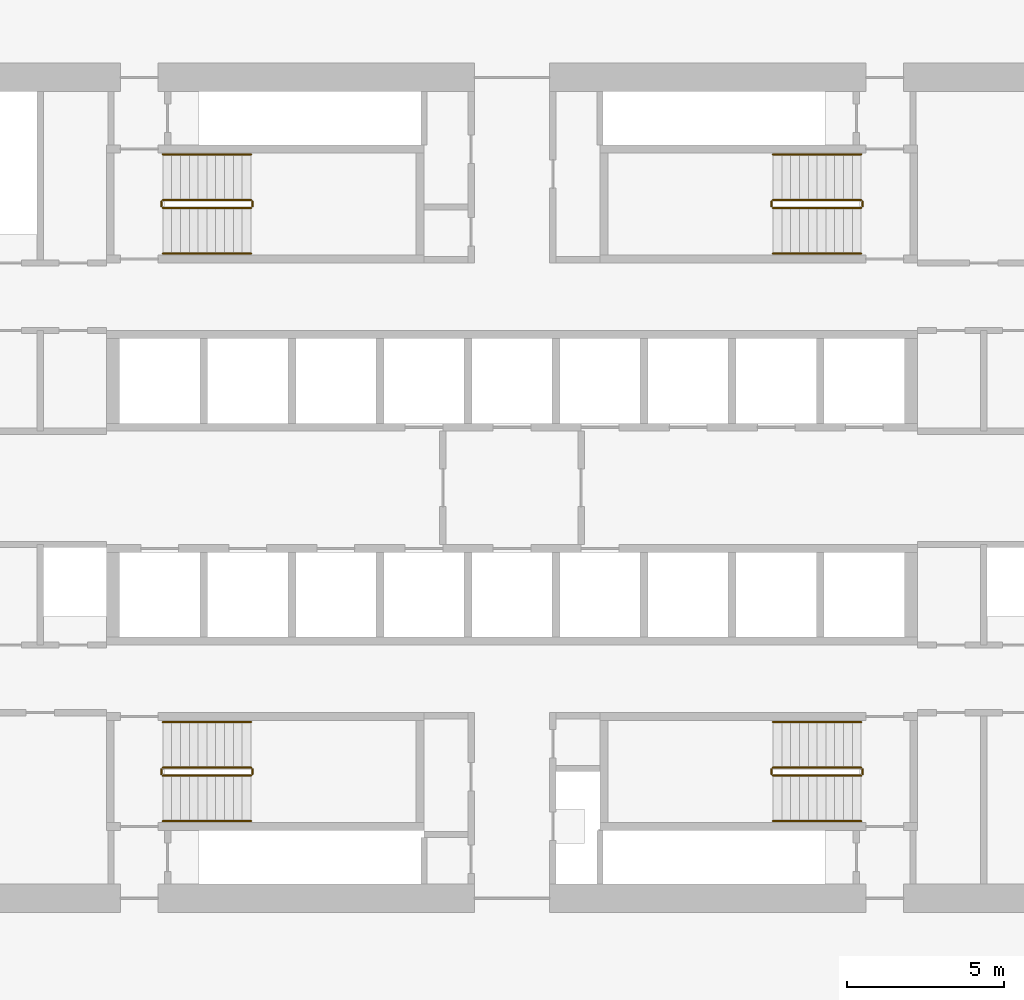
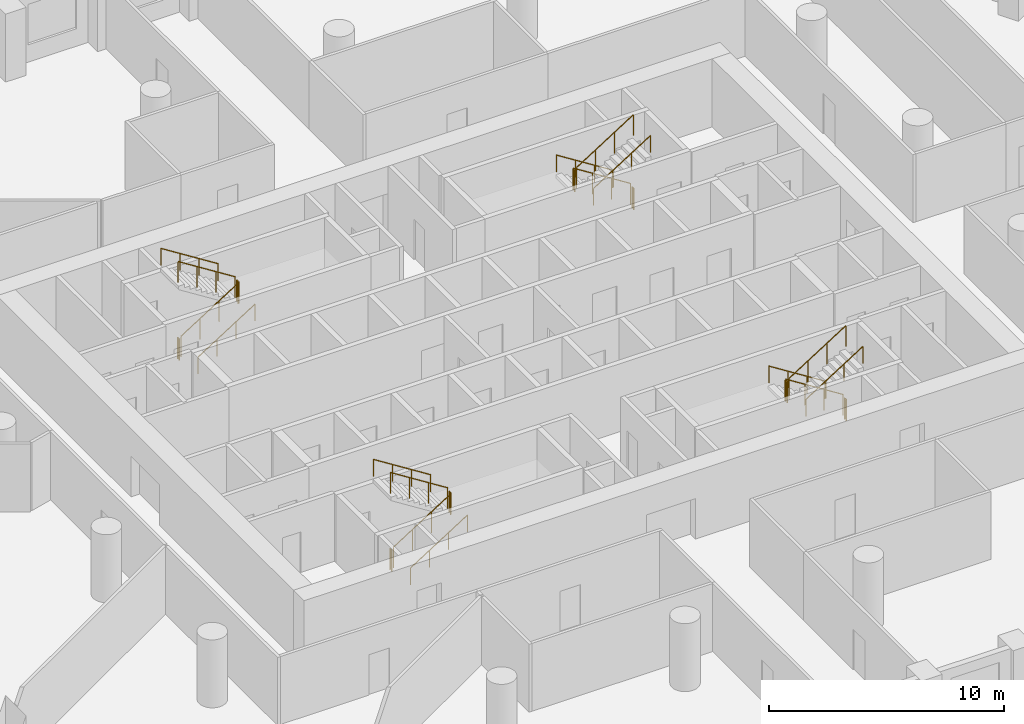
# One storey, part 10 of 10: 24 railings.
"""IFC4 building model written with IfcOpenShell, lengths in metres."""

from ifc_helpers import new_model, si_unit, direction, frame, origin, origin_2d, place, context, subcontext, project, spatial, circle, extrude, material, type_object, element, save


model = new_model("IFC4")

# Units and contexts
model_context = context("Model", 3, precision=1e-05, world=origin(), true_north=direction((0.0, 1.0)))
body_context = subcontext(model_context, "Body", "Model", "MODEL_VIEW")
ifc_project = project(units=[si_unit("LENGTHUNIT", "METRE"), si_unit("AREAUNIT", "SQUARE_METRE"), si_unit("VOLUMEUNIT", "CUBIC_METRE"), si_unit("PLANEANGLEUNIT", "RADIAN"), si_unit("MASSUNIT", "GRAM", prefix="KILO")], contexts=[model_context])

# Site, building, storey
site_placement = place(None, origin())
site = spatial("IfcSite", under=ifc_project, at=site_placement, CompositionType="ELEMENT")
building_placement = place(site_placement, origin())
building = spatial("IfcBuilding", under=site, at=building_placement, Name="Dhurran Vertical Campus", CompositionType="ELEMENT")
storey_placement = place(building_placement, frame((0.0, 0.0, 85.199951171875)))
storey = spatial("IfcBuildingStorey", under=building, at=storey_placement, Name="L20", CompositionType="ELEMENT", Elevation=85.199951171875)

# Railings
ifc_material_1 = material(Name="Stainless steel balustrade", Category="steel")
railing_type_1 = type_object("IfcRailingType", Name="co-RL-GUARD-1100", PredefinedType="GUARDRAIL", material=ifc_material_1)
railing_1_placement = place(storey_placement, frame((-11.10009765625, 8.89990234375, 0.17724609375)))
element("IfcRailing", 1, at=railing_1_placement, inside=storey, type_object=railing_type_1, Name="L20 ST1 stair guard 1", PredefinedType="GUARDRAIL", context=body_context, shape_type="SweptSolid", body=[
    extrude(circle(Radius=0.02392578125, at=origin_2d()), frame((0.0, 0.0, 1.076171875), z_axis=(0.844908973607, 0.0, 0.534910110503), x_axis=(0.0, 1.0, 0.0)), (0.0, 0.0, 1.0), 3.31396484375),
    extrude(circle(Radius=0.02099609375, at=origin_2d()), origin(), (0.0, 0.0, 1.0), 1.052001953125),
    extrude(circle(Radius=0.02099609375, at=origin_2d()), frame((0.933349609375, 0.0, 0.5908203125)), (0.0, 0.0, 1.0), 1.052001953125),
    extrude(circle(Radius=0.02099609375, at=origin_2d()), frame((1.86669921875, 0.0, 1.181884765625)), (0.0, 0.0, 1.0), 1.052001953125),
    extrude(circle(Radius=0.02099609375, at=origin_2d()), frame((2.800048828125, 0.0, 1.772705078125)), (0.0, 0.0, 1.0), 1.052001953125),
])
railing_2_placement = place(storey_placement, frame((-8.25, 8.949951171875, 1.949951171875)))
element("IfcRailing", 2, at=railing_2_placement, inside=storey, type_object=railing_type_1, Name="L20 ST1 stair guard 2", PredefinedType="GUARDRAIL", context=body_context, shape_type="SweptSolid", body=[
    extrude(circle(Radius=0.02392578125, at=origin_2d()), frame((0.0, 0.0, 1.076171875), z_axis=(0.0, 1.0, 0.0), x_axis=(-1.0, 0.0, 0.0)), (0.0, 0.0, 1.0), 0.150146484375),
    extrude(circle(Radius=0.02099609375, at=origin_2d()), origin(), (0.0, 0.0, 1.0), 1.052001953125),
    extrude(circle(Radius=0.02099609375, at=origin_2d()), frame((0.0, 0.150146484375, 0.0)), (0.0, 0.0, 1.0), 1.052001953125),
])
railing_3_placement = place(storey_placement, frame((-8.300048828125, 9.14990234375, 2.12744140625)))
element("IfcRailing", 3, at=railing_3_placement, inside=storey, type_object=railing_type_1, Name="L20 ST1 stair guard 3", PredefinedType="GUARDRAIL", context=body_context, shape_type="SweptSolid", body=[
    extrude(circle(Radius=0.02392578125, at=origin_2d()), frame((0.0, 0.0, 1.076171875), z_axis=(-0.844908973607, 0.0, 0.534910110503), x_axis=(0.0, -1.0, 0.0)), (0.0, 0.0, 1.0), 3.31396484375),
    extrude(circle(Radius=0.02099609375, at=origin_2d()), origin(), (0.0, 0.0, 1.0), 1.052001953125),
    extrude(circle(Radius=0.02099609375, at=origin_2d()), frame((-0.933349609375, 0.0, 0.5908203125)), (0.0, 0.0, 1.0), 1.052001953125),
    extrude(circle(Radius=0.02099609375, at=origin_2d()), frame((-1.86669921875, 0.0, 1.181884765625)), (0.0, 0.0, 1.0), 1.052001953125),
    extrude(circle(Radius=0.02099609375, at=origin_2d()), frame((-2.800048828125, 0.0, 1.772705078125)), (0.0, 0.0, 1.0), 1.052001953125),
])
railing_4_placement = place(storey_placement, frame((-11.14990234375, 8.949951171875, 0.0)))
element("IfcRailing", 4, at=railing_4_placement, inside=storey, type_object=railing_type_1, Name="L20 ST1 stair guard 4", PredefinedType="GUARDRAIL", context=body_context, shape_type="SweptSolid", body=[
    extrude(circle(Radius=0.02392578125, at=origin_2d()), frame((0.0, 0.0, 1.076171875), z_axis=(0.0, 1.0, 0.0), x_axis=(-1.0, 0.0, 0.0)), (0.0, 0.0, 1.0), 0.150146484375),
    extrude(circle(Radius=0.02099609375, at=origin_2d()), origin(), (0.0, 0.0, 1.0), 1.052001953125),
    extrude(circle(Radius=0.02099609375, at=origin_2d()), frame((0.0, 0.150146484375, 0.0)), (0.0, 0.0, 1.0), 1.052001953125),
])
railing_5_placement = place(storey_placement, frame((11.10009765625, 9.14990234375, 0.17724609375)))
element("IfcRailing", 5, at=railing_5_placement, inside=storey, type_object=railing_type_1, Name="L20 ST2 stair guard 1", PredefinedType="GUARDRAIL", context=body_context, shape_type="SweptSolid", body=[
    extrude(circle(Radius=0.02392578125, at=origin_2d()), frame((0.0, 0.0, 1.076171875), z_axis=(-0.844908973607, 0.0, 0.534910110503), x_axis=(0.0, -1.0, 0.0)), (0.0, 0.0, 1.0), 3.31396484375),
    extrude(circle(Radius=0.02099609375, at=origin_2d()), origin(), (0.0, 0.0, 1.0), 1.052001953125),
    extrude(circle(Radius=0.02099609375, at=origin_2d()), frame((-0.933349609375, 0.0, 0.5908203125)), (0.0, 0.0, 1.0), 1.052001953125),
    extrude(circle(Radius=0.02099609375, at=origin_2d()), frame((-1.86669921875, 0.0, 1.181884765625)), (0.0, 0.0, 1.0), 1.052001953125),
    extrude(circle(Radius=0.02099609375, at=origin_2d()), frame((-2.800048828125, 0.0, 1.772705078125)), (0.0, 0.0, 1.0), 1.052001953125),
])
railing_6_placement = place(storey_placement, frame((8.25, 9.10009765625, 1.949951171875)))
element("IfcRailing", 6, at=railing_6_placement, inside=storey, type_object=railing_type_1, Name="L20 ST2 stair guard 2", PredefinedType="GUARDRAIL", context=body_context, shape_type="SweptSolid", body=[
    extrude(circle(Radius=0.02392578125, at=origin_2d()), frame((0.0, 0.0, 1.076171875), z_axis=(0.0, -1.0, 0.0), x_axis=(1.0, 0.0, 0.0)), (0.0, 0.0, 1.0), 0.150146484375),
    extrude(circle(Radius=0.02099609375, at=origin_2d()), origin(), (0.0, 0.0, 1.0), 1.052001953125),
    extrude(circle(Radius=0.02099609375, at=origin_2d()), frame((0.0, -0.150146484375, 0.0)), (0.0, 0.0, 1.0), 1.052001953125),
])
railing_7_placement = place(storey_placement, frame((8.300048828125, 8.89990234375, 2.12744140625)))
element("IfcRailing", 7, at=railing_7_placement, inside=storey, type_object=railing_type_1, Name="L20 ST2 stair guard 3", PredefinedType="GUARDRAIL", context=body_context, shape_type="SweptSolid", body=[
    extrude(circle(Radius=0.02392578125, at=origin_2d()), frame((0.0, 0.0, 1.076171875), z_axis=(0.844908973607, 0.0, 0.534910110503), x_axis=(0.0, 1.0, 0.0)), (0.0, 0.0, 1.0), 3.31396484375),
    extrude(circle(Radius=0.02099609375, at=origin_2d()), origin(), (0.0, 0.0, 1.0), 1.052001953125),
    extrude(circle(Radius=0.02099609375, at=origin_2d()), frame((0.933349609375, 0.0, 0.5908203125)), (0.0, 0.0, 1.0), 1.052001953125),
    extrude(circle(Radius=0.02099609375, at=origin_2d()), frame((1.86669921875, 0.0, 1.181884765625)), (0.0, 0.0, 1.0), 1.052001953125),
    extrude(circle(Radius=0.02099609375, at=origin_2d()), frame((2.800048828125, 0.0, 1.772705078125)), (0.0, 0.0, 1.0), 1.052001953125),
])
railing_8_placement = place(storey_placement, frame((11.14990234375, 9.10009765625, 0.0)))
element("IfcRailing", 8, at=railing_8_placement, inside=storey, type_object=railing_type_1, Name="L20 ST2 stair guard 4", PredefinedType="GUARDRAIL", context=body_context, shape_type="SweptSolid", body=[
    extrude(circle(Radius=0.02392578125, at=origin_2d()), frame((0.0, 0.0, 1.076171875), z_axis=(0.0, -1.0, 0.0), x_axis=(1.0, 0.0, 0.0)), (0.0, 0.0, 1.0), 0.150146484375),
    extrude(circle(Radius=0.02099609375, at=origin_2d()), origin(), (0.0, 0.0, 1.0), 1.052001953125),
    extrude(circle(Radius=0.02099609375, at=origin_2d()), frame((0.0, -0.150146484375, 0.0)), (0.0, 0.0, 1.0), 1.052001953125),
])
railing_9_placement = place(storey_placement, frame((-11.10009765625, -9.14990234375, 0.17724609375)))
element("IfcRailing", 9, at=railing_9_placement, inside=storey, type_object=railing_type_1, Name="L20 ST3 stair guard 1", PredefinedType="GUARDRAIL", context=body_context, shape_type="SweptSolid", body=[
    extrude(circle(Radius=0.02392578125, at=origin_2d()), frame((0.0, 0.0, 1.076171875), z_axis=(0.844908973607, 0.0, 0.534910110503), x_axis=(0.0, 1.0, 0.0)), (0.0, 0.0, 1.0), 3.31396484375),
    extrude(circle(Radius=0.02099609375, at=origin_2d()), origin(), (0.0, 0.0, 1.0), 1.052001953125),
    extrude(circle(Radius=0.02099609375, at=origin_2d()), frame((0.933349609375, 0.0, 0.5908203125)), (0.0, 0.0, 1.0), 1.052001953125),
    extrude(circle(Radius=0.02099609375, at=origin_2d()), frame((1.86669921875, 0.0, 1.181884765625)), (0.0, 0.0, 1.0), 1.052001953125),
    extrude(circle(Radius=0.02099609375, at=origin_2d()), frame((2.800048828125, 0.0, 1.772705078125)), (0.0, 0.0, 1.0), 1.052001953125),
])
railing_10_placement = place(storey_placement, frame((-8.25, -9.10009765625, 1.949951171875)))
element("IfcRailing", 10, at=railing_10_placement, inside=storey, type_object=railing_type_1, Name="L20 ST3 stair guard 2", PredefinedType="GUARDRAIL", context=body_context, shape_type="SweptSolid", body=[
    extrude(circle(Radius=0.02392578125, at=origin_2d()), frame((0.0, 0.0, 1.076171875), z_axis=(0.0, 1.0, 0.0), x_axis=(-1.0, 0.0, 0.0)), (0.0, 0.0, 1.0), 0.150146484375),
    extrude(circle(Radius=0.02099609375, at=origin_2d()), origin(), (0.0, 0.0, 1.0), 1.052001953125),
    extrude(circle(Radius=0.02099609375, at=origin_2d()), frame((0.0, 0.150146484375, 0.0)), (0.0, 0.0, 1.0), 1.052001953125),
])
railing_11_placement = place(storey_placement, frame((-8.300048828125, -8.89990234375, 2.12744140625)))
element("IfcRailing", 11, at=railing_11_placement, inside=storey, type_object=railing_type_1, Name="L20 ST3 stair guard 3", PredefinedType="GUARDRAIL", context=body_context, shape_type="SweptSolid", body=[
    extrude(circle(Radius=0.02392578125, at=origin_2d()), frame((0.0, 0.0, 1.076171875), z_axis=(-0.844908973607, 0.0, 0.534910110503), x_axis=(0.0, -1.0, 0.0)), (0.0, 0.0, 1.0), 3.31396484375),
    extrude(circle(Radius=0.02099609375, at=origin_2d()), origin(), (0.0, 0.0, 1.0), 1.052001953125),
    extrude(circle(Radius=0.02099609375, at=origin_2d()), frame((-0.933349609375, 0.0, 0.5908203125)), (0.0, 0.0, 1.0), 1.052001953125),
    extrude(circle(Radius=0.02099609375, at=origin_2d()), frame((-1.86669921875, 0.0, 1.181884765625)), (0.0, 0.0, 1.0), 1.052001953125),
    extrude(circle(Radius=0.02099609375, at=origin_2d()), frame((-2.800048828125, 0.0, 1.772705078125)), (0.0, 0.0, 1.0), 1.052001953125),
])
railing_12_placement = place(storey_placement, frame((-11.14990234375, -9.10009765625, 0.0)))
element("IfcRailing", 12, at=railing_12_placement, inside=storey, type_object=railing_type_1, Name="L20 ST3 stair guard 4", PredefinedType="GUARDRAIL", context=body_context, shape_type="SweptSolid", body=[
    extrude(circle(Radius=0.02392578125, at=origin_2d()), frame((0.0, 0.0, 1.076171875), z_axis=(0.0, 1.0, 0.0), x_axis=(-1.0, 0.0, 0.0)), (0.0, 0.0, 1.0), 0.150146484375),
    extrude(circle(Radius=0.02099609375, at=origin_2d()), origin(), (0.0, 0.0, 1.0), 1.052001953125),
    extrude(circle(Radius=0.02099609375, at=origin_2d()), frame((0.0, 0.150146484375, 0.0)), (0.0, 0.0, 1.0), 1.052001953125),
])
railing_13_placement = place(storey_placement, frame((11.10009765625, -8.89990234375, 0.17724609375)))
element("IfcRailing", 13, at=railing_13_placement, inside=storey, type_object=railing_type_1, Name="L20 ST4 stair guard 1", PredefinedType="GUARDRAIL", context=body_context, shape_type="SweptSolid", body=[
    extrude(circle(Radius=0.02392578125, at=origin_2d()), frame((0.0, 0.0, 1.076171875), z_axis=(-0.844908973607, 0.0, 0.534910110503), x_axis=(0.0, -1.0, 0.0)), (0.0, 0.0, 1.0), 3.31396484375),
    extrude(circle(Radius=0.02099609375, at=origin_2d()), origin(), (0.0, 0.0, 1.0), 1.052001953125),
    extrude(circle(Radius=0.02099609375, at=origin_2d()), frame((-0.933349609375, 0.0, 0.5908203125)), (0.0, 0.0, 1.0), 1.052001953125),
    extrude(circle(Radius=0.02099609375, at=origin_2d()), frame((-1.86669921875, 0.0, 1.181884765625)), (0.0, 0.0, 1.0), 1.052001953125),
    extrude(circle(Radius=0.02099609375, at=origin_2d()), frame((-2.800048828125, 0.0, 1.772705078125)), (0.0, 0.0, 1.0), 1.052001953125),
])
railing_14_placement = place(storey_placement, frame((8.25, -8.949951171875, 1.949951171875)))
element("IfcRailing", 14, at=railing_14_placement, inside=storey, type_object=railing_type_1, Name="L20 ST4 stair guard 2", PredefinedType="GUARDRAIL", context=body_context, shape_type="SweptSolid", body=[
    extrude(circle(Radius=0.02392578125, at=origin_2d()), frame((0.0, 0.0, 1.076171875), z_axis=(0.0, -1.0, 0.0), x_axis=(1.0, 0.0, 0.0)), (0.0, 0.0, 1.0), 0.150146484375),
    extrude(circle(Radius=0.02099609375, at=origin_2d()), origin(), (0.0, 0.0, 1.0), 1.052001953125),
    extrude(circle(Radius=0.02099609375, at=origin_2d()), frame((0.0, -0.150146484375, 0.0)), (0.0, 0.0, 1.0), 1.052001953125),
])
railing_15_placement = place(storey_placement, frame((8.300048828125, -9.14990234375, 2.12744140625)))
element("IfcRailing", 15, at=railing_15_placement, inside=storey, type_object=railing_type_1, Name="L20 ST4 stair guard 3", PredefinedType="GUARDRAIL", context=body_context, shape_type="SweptSolid", body=[
    extrude(circle(Radius=0.02392578125, at=origin_2d()), frame((0.0, 0.0, 1.076171875), z_axis=(0.844908973607, 0.0, 0.534910110503), x_axis=(0.0, 1.0, 0.0)), (0.0, 0.0, 1.0), 3.31396484375),
    extrude(circle(Radius=0.02099609375, at=origin_2d()), origin(), (0.0, 0.0, 1.0), 1.052001953125),
    extrude(circle(Radius=0.02099609375, at=origin_2d()), frame((0.933349609375, 0.0, 0.5908203125)), (0.0, 0.0, 1.0), 1.052001953125),
    extrude(circle(Radius=0.02099609375, at=origin_2d()), frame((1.86669921875, 0.0, 1.181884765625)), (0.0, 0.0, 1.0), 1.052001953125),
    extrude(circle(Radius=0.02099609375, at=origin_2d()), frame((2.800048828125, 0.0, 1.772705078125)), (0.0, 0.0, 1.0), 1.052001953125),
])
railing_16_placement = place(storey_placement, frame((11.14990234375, -8.949951171875, 0.0)))
element("IfcRailing", 16, at=railing_16_placement, inside=storey, type_object=railing_type_1, Name="L20 ST4 stair guard 4", PredefinedType="GUARDRAIL", context=body_context, shape_type="SweptSolid", body=[
    extrude(circle(Radius=0.02392578125, at=origin_2d()), frame((0.0, 0.0, 1.076171875), z_axis=(0.0, -1.0, 0.0), x_axis=(1.0, 0.0, 0.0)), (0.0, 0.0, 1.0), 0.150146484375),
    extrude(circle(Radius=0.02099609375, at=origin_2d()), origin(), (0.0, 0.0, 1.0), 1.052001953125),
    extrude(circle(Radius=0.02099609375, at=origin_2d()), frame((0.0, -0.150146484375, 0.0)), (0.0, 0.0, 1.0), 1.052001953125),
])
ifc_material_2 = material(Name="Stainless steel handrail", Category="steel")
railing_type_2 = type_object("IfcRailingType", Name="co-RL-HANDRAIL-900", PredefinedType="HANDRAIL", material=ifc_material_2)
railing_17_placement = place(storey_placement, frame((-11.10009765625, 7.449951171875, 0.17724609375)))
element("IfcRailing", 17, at=railing_17_placement, inside=storey, type_object=railing_type_2, Name="L20 ST1 stair handrail 1", PredefinedType="HANDRAIL", context=body_context, shape_type="SweptSolid", body=[
    extrude(circle(Radius=0.02392578125, at=origin_2d()), frame((0.0, 0.0, 0.8759765625), z_axis=(0.844908973607, 0.0, 0.534910110503), x_axis=(0.0, 1.0, 0.0)), (0.0, 0.0, 1.0), 3.31396484375),
    extrude(circle(Radius=0.02099609375, at=origin_2d()), origin(), (0.0, 0.0, 1.0), 0.851806640625),
    extrude(circle(Radius=0.02099609375, at=origin_2d()), frame((0.933349609375, 0.0, 0.5908203125)), (0.0, 0.0, 1.0), 0.851806640625),
    extrude(circle(Radius=0.02099609375, at=origin_2d()), frame((1.86669921875, 0.0, 1.181884765625)), (0.0, 0.0, 1.0), 0.851806640625),
    extrude(circle(Radius=0.02099609375, at=origin_2d()), frame((2.800048828125, 0.0, 1.772705078125)), (0.0, 0.0, 1.0), 0.851806640625),
])
for number, where, name in (
    (18, (-8.300048828125, 10.60009765625, 2.12744140625), "L20 ST1 stair handrail 2"),
    (19, (11.10009765625, 10.60009765625, 0.17724609375), "L20 ST2 stair handrail 1"),
):
    element("IfcRailing", number, at=place(storey_placement, frame(where)), inside=storey, type_object=railing_type_2, Name=name, PredefinedType="HANDRAIL", context=body_context, shape_type="SweptSolid", body=[
        extrude(circle(Radius=0.02392578125, at=origin_2d()), frame((0.0, 0.0, 0.8759765625), z_axis=(-0.844908973607, 0.0, 0.534910110503), x_axis=(0.0, -1.0, 0.0)), (0.0, 0.0, 1.0), 3.31396484375),
        extrude(circle(Radius=0.02099609375, at=origin_2d()), origin(), (0.0, 0.0, 1.0), 0.851806640625),
        extrude(circle(Radius=0.02099609375, at=origin_2d()), frame((-0.933349609375, 0.0, 0.5908203125)), (0.0, 0.0, 1.0), 0.851806640625),
        extrude(circle(Radius=0.02099609375, at=origin_2d()), frame((-1.86669921875, 0.0, 1.181884765625)), (0.0, 0.0, 1.0), 0.851806640625),
        extrude(circle(Radius=0.02099609375, at=origin_2d()), frame((-2.800048828125, 0.0, 1.772705078125)), (0.0, 0.0, 1.0), 0.851806640625),
    ])
for number, where, name in (
    (20, (8.300048828125, 7.449951171875, 2.12744140625), "L20 ST2 stair handrail 2"),
    (21, (-11.10009765625, -10.60009765625, 0.17724609375), "L20 ST3 stair handrail 1"),
):
    element("IfcRailing", number, at=place(storey_placement, frame(where)), inside=storey, type_object=railing_type_2, Name=name, PredefinedType="HANDRAIL", context=body_context, shape_type="SweptSolid", body=[
        extrude(circle(Radius=0.02392578125, at=origin_2d()), frame((0.0, 0.0, 0.8759765625), z_axis=(0.844908973607, 0.0, 0.534910110503), x_axis=(0.0, 1.0, 0.0)), (0.0, 0.0, 1.0), 3.31396484375),
        extrude(circle(Radius=0.02099609375, at=origin_2d()), origin(), (0.0, 0.0, 1.0), 0.851806640625),
        extrude(circle(Radius=0.02099609375, at=origin_2d()), frame((0.933349609375, 0.0, 0.5908203125)), (0.0, 0.0, 1.0), 0.851806640625),
        extrude(circle(Radius=0.02099609375, at=origin_2d()), frame((1.86669921875, 0.0, 1.181884765625)), (0.0, 0.0, 1.0), 0.851806640625),
        extrude(circle(Radius=0.02099609375, at=origin_2d()), frame((2.800048828125, 0.0, 1.772705078125)), (0.0, 0.0, 1.0), 0.851806640625),
    ])
for number, where, name in (
    (22, (-8.300048828125, -7.449951171875, 2.12744140625), "L20 ST3 stair handrail 2"),
    (23, (11.10009765625, -7.449951171875, 0.17724609375), "L20 ST4 stair handrail 1"),
):
    element("IfcRailing", number, at=place(storey_placement, frame(where)), inside=storey, type_object=railing_type_2, Name=name, PredefinedType="HANDRAIL", context=body_context, shape_type="SweptSolid", body=[
        extrude(circle(Radius=0.02392578125, at=origin_2d()), frame((0.0, 0.0, 0.8759765625), z_axis=(-0.844908973607, 0.0, 0.534910110503), x_axis=(0.0, -1.0, 0.0)), (0.0, 0.0, 1.0), 3.31396484375),
        extrude(circle(Radius=0.02099609375, at=origin_2d()), origin(), (0.0, 0.0, 1.0), 0.851806640625),
        extrude(circle(Radius=0.02099609375, at=origin_2d()), frame((-0.933349609375, 0.0, 0.5908203125)), (0.0, 0.0, 1.0), 0.851806640625),
        extrude(circle(Radius=0.02099609375, at=origin_2d()), frame((-1.86669921875, 0.0, 1.181884765625)), (0.0, 0.0, 1.0), 0.851806640625),
        extrude(circle(Radius=0.02099609375, at=origin_2d()), frame((-2.800048828125, 0.0, 1.772705078125)), (0.0, 0.0, 1.0), 0.851806640625),
    ])
railing_18_placement = place(storey_placement, frame((8.300048828125, -10.60009765625, 2.12744140625)))
element("IfcRailing", 24, at=railing_18_placement, inside=storey, type_object=railing_type_2, Name="L20 ST4 stair handrail 2", PredefinedType="HANDRAIL", context=body_context, shape_type="SweptSolid", body=[
    extrude(circle(Radius=0.02392578125, at=origin_2d()), frame((0.0, 0.0, 0.8759765625), z_axis=(0.844908973607, 0.0, 0.534910110503), x_axis=(0.0, 1.0, 0.0)), (0.0, 0.0, 1.0), 3.31396484375),
    extrude(circle(Radius=0.02099609375, at=origin_2d()), origin(), (0.0, 0.0, 1.0), 0.851806640625),
    extrude(circle(Radius=0.02099609375, at=origin_2d()), frame((0.933349609375, 0.0, 0.5908203125)), (0.0, 0.0, 1.0), 0.851806640625),
    extrude(circle(Radius=0.02099609375, at=origin_2d()), frame((1.86669921875, 0.0, 1.181884765625)), (0.0, 0.0, 1.0), 0.851806640625),
    extrude(circle(Radius=0.02099609375, at=origin_2d()), frame((2.800048828125, 0.0, 1.772705078125)), (0.0, 0.0, 1.0), 0.851806640625),
])

save(model, "model.ifc")
